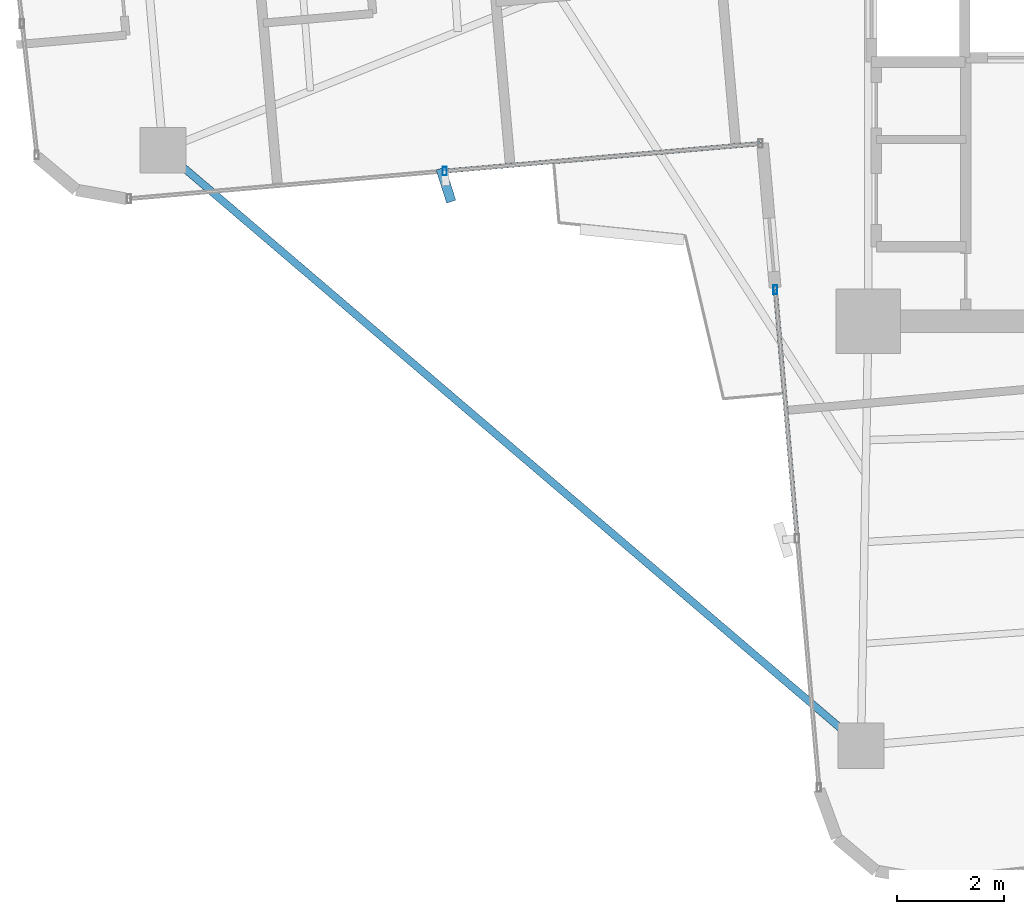
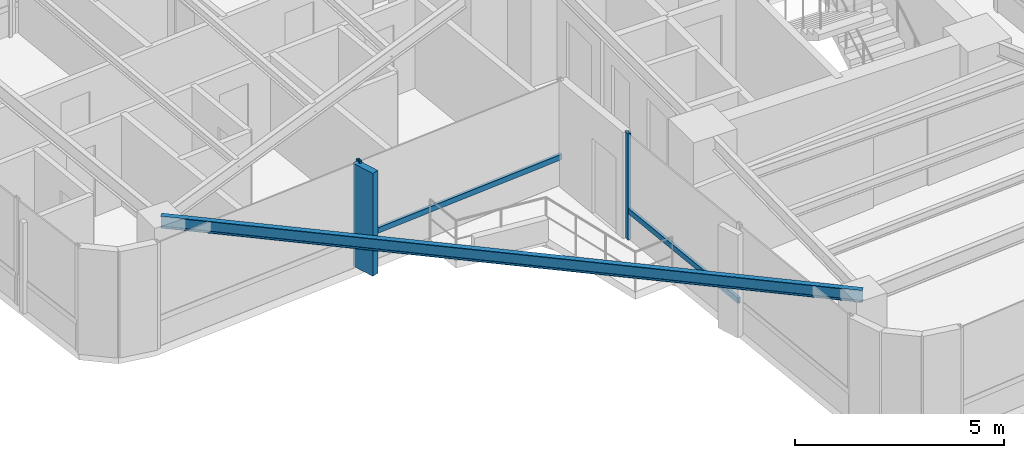
# One storey, part 4 of 24: 5 members, 1 beam, 2 elements without a shape of their own.
"""IFC4 building model written with IfcOpenShell, lengths in metres."""

from ifc_helpers import new_model, si_unit, direction, frame, origin, origin_2d, place, context, subcontext, project, spatial, rectangle, hollow_rectangle, i_section, extrude, source, transform, mapped, material, material_profile, profile_set, type_object, element, aggregate, save


model = new_model("IFC4")

# Units and contexts
model_context = context("Model", 3, precision=1e-05, world=origin(), true_north=direction((0.0, 1.0)))
body_context = subcontext(model_context, "Body", "Model", "MODEL_VIEW")
ifc_project = project(units=[si_unit("LENGTHUNIT", "METRE"), si_unit("AREAUNIT", "SQUARE_METRE"), si_unit("VOLUMEUNIT", "CUBIC_METRE"), si_unit("PLANEANGLEUNIT", "RADIAN"), si_unit("MASSUNIT", "GRAM", prefix="KILO")], contexts=[model_context])

# Site, building, storey
site_placement = place(None, origin())
site = spatial("IfcSite", under=ifc_project, at=site_placement, CompositionType="ELEMENT")
building_placement = place(site_placement, origin())
building = spatial("IfcBuilding", under=site, at=building_placement, Name="Sahyath Konkavel Grand Hotel", CompositionType="ELEMENT")
storey_placement = place(building_placement, frame((0.0, 0.0, 153.949951171875)))
storey = spatial("IfcBuildingStorey", under=building, at=storey_placement, Name="L42", CompositionType="ELEMENT", Elevation=153.949951171875)

# Beam
ifc_material_1 = material(Name="Steel E350", Category="steel")
ifc_material_profile_1 = material_profile(ifc_material_1, i_section(OverallWidth=0.139892578125, OverallDepth=0.35009765625, WebThickness=0.008056640625, FlangeThickness=0.01416015625, FilletRadius=0.013916015625, at=origin_2d()), Name="ISMB 350")
ifc_profile_set_1 = profile_set([ifc_material_profile_1], Name="Steel E350")
beam_type = type_object("IfcBeamType", Name="BM-ISMB350", PredefinedType="BEAM", material=ifc_profile_set_1)
shared_shape_1 = source(origin(), body_context, "Body", "SweptSolid", [
    extrude(i_section(OverallWidth=0.139892578125, OverallDepth=0.35009765625, WebThickness=0.008056640625, FlangeThickness=0.01416015625, FilletRadius=0.013916015625, at=origin_2d()), origin(), (0.0, 0.0, 1.0), 17.11279296875),
])
beam_placement = place(storey_placement, frame((-16.9541015625, -7.00439453125, 2.93505859375), z_axis=(0.760711911164, -0.649089661151, 0.0), x_axis=(0.649089661151, 0.760711911164, 0.0)))
element("IfcBeam", 1, at=beam_placement, inside=storey, type_object=beam_type, Name="L42 Re-Entrant Tie Beam SW", PredefinedType="BEAM", context=body_context, shape_type="MappedRepresentation", body=[
    mapped(shared_shape_1, transform((0.0, 0.0, 0.0), scale=1.0)),
])

# Curtain wall, members
ifc_material_2 = material(Name="Anodised Bronze Aluminium & Low-E Glazing", Category="aluminium")
curtain_wall_type = type_object("IfcCurtainWallType", Name="CW-ZONE3", PredefinedType="NOTDEFINED", material=ifc_material_2)
curtain_wall_1_placement = place(storey_placement, origin())
curtain_wall_1 = element("IfcCurtainWall", 2, at=curtain_wall_1_placement, inside=storey, type_object=curtain_wall_type, Name="L42 Unitised Curtain Wall F23", PredefinedType="NOTDEFINED")
ifc_material_3 = material(Name="Warm Buff Sandstone Cladding on Concrete C50/60", Category="masonry")
ifc_material_profile_2 = material_profile(ifc_material_3, rectangle(XDim=0.179931640625, YDim=0.64990234375, at=origin_2d()), Name="FIN 180x650")
ifc_profile_set_2 = profile_set([ifc_material_profile_2], Name="Warm Buff Sandstone Cladding on Concrete C50/60")
member_type_1 = type_object("IfcMemberType", Name="FIN-SANDSTONE-650", PredefinedType="MULLION", material=ifc_profile_set_2)
shared_shape_2 = source(origin(), body_context, "Body", "SweptSolid", [
    extrude(rectangle(XDim=0.179931640625, YDim=0.64990234375, at=origin_2d()), origin(), (0.0, 0.0, 1.0), 3.010009765625),
])
member_1_placement = place(storey_placement, frame((-11.677001953125, -7.656982421875, 0.050048828125), z_axis=(0.0, 0.0, 1.0), x_axis=(0.953032216634, 0.302868938746, 0.0)))
member_1 = element("IfcMember", 3, at=member_1_placement, type_object=member_type_1, Name="L42 Sandstone Vertical Solar Fin FIN F23-1", PredefinedType="MULLION", context=body_context, shape_type="MappedRepresentation", body=[
    mapped(shared_shape_2, transform((0.0, 0.0, 0.0), scale=1.0)),
])
ifc_material_4 = material(Name="Anodised Bronze Aluminium", Category="aluminium")
ifc_material_profile_3 = material_profile(ifc_material_4, hollow_rectangle(XDim=0.080078125, YDim=0.159912109375, WallThickness=0.006103515625, at=origin_2d()), Name="RHS 160x80x6")
ifc_profile_set_3 = profile_set([ifc_material_profile_3], Name="Anodised Bronze Aluminium")
member_type_2 = type_object("IfcMemberType", Name="CW-MUL-160", PredefinedType="MULLION", material=ifc_profile_set_3)
shared_shape_3 = source(origin(), body_context, "Body", "SweptSolid", [
    extrude(hollow_rectangle(XDim=0.080078125, YDim=0.159912109375, WallThickness=0.006103515625, at=origin_2d()), origin(), (0.0, 0.0, 1.0), 3.110107421875),
])
member_2_placement = place(storey_placement, frame((-11.69970703125, -7.39794921875, 0.0), z_axis=(0.0, 0.0, 1.0), x_axis=(1.0, 0.0, 0.0)))
member_2 = element("IfcMember", 4, at=member_2_placement, type_object=member_type_2, Name="L42 Curtain Wall Mullion F23-1", PredefinedType="MULLION", context=body_context, shape_type="MappedRepresentation", body=[
    mapped(shared_shape_3, transform((0.0, 0.0, 0.0), scale=1.0)),
])

# Curtain wall, member
curtain_wall_2_placement = place(storey_placement, origin())
curtain_wall_2 = element("IfcCurtainWall", 5, at=curtain_wall_2_placement, inside=storey, type_object=curtain_wall_type, Name="L42 Unitised Curtain Wall F24", PredefinedType="NOTDEFINED")
member_3_placement = place(storey_placement, frame((-5.53369140625, -9.60888671875, 0.0), z_axis=(0.0, 0.0, 1.0), x_axis=(1.0, 0.0, 0.0)))
member_3 = element("IfcMember", 6, at=member_3_placement, type_object=member_type_2, Name="L42 Curtain Wall Mullion F24-0", PredefinedType="MULLION", context=body_context, shape_type="MappedRepresentation", body=[
    mapped(shared_shape_3, transform((0.0, 0.0, 0.0), scale=1.0)),
])

# Member
ifc_material_profile_4 = material_profile(ifc_material_4, hollow_rectangle(XDim=0.080078125, YDim=0.159912109375, WallThickness=0.006103515625, at=origin_2d()), Name="RHS 160x80x6")
ifc_profile_set_4 = profile_set([ifc_material_profile_4], Name="Anodised Bronze Aluminium")
member_type_3 = type_object("IfcMemberType", Name="CW-TRN-160", PredefinedType="USERDEFINED", material=ifc_profile_set_4)
shared_shape_4 = source(origin(), body_context, "Body", "SweptSolid", [
    extrude(hollow_rectangle(XDim=0.080078125, YDim=0.159912109375, WallThickness=0.006103515625, at=origin_2d()), origin(), (0.0, 0.0, 1.0), 5.909912109375),
])
member_4_placement = place(storey_placement, frame((-11.69970703125, -7.39794921875, 0.85009765625), z_axis=(0.996193941691, 0.087164388014, 0.0), x_axis=(-0.087164388014, 0.996193941691, 0.0)))
member_4 = element("IfcMember", 7, at=member_4_placement, type_object=member_type_3, Name="L42 Curtain Wall Transom F23-1-spandrel", ObjectType="TRANSOM", PredefinedType="USERDEFINED", context=body_context, shape_type="MappedRepresentation", body=[
    mapped(shared_shape_4, transform((0.0, 0.0, 0.0), scale=1.0)),
])

aggregate(curtain_wall_1, [member_2, member_1, member_4])

shared_shape_5 = source(origin(), body_context, "Body", "SweptSolid", [
    extrude(hollow_rectangle(XDim=0.080078125, YDim=0.159912109375, WallThickness=0.006103515625, at=origin_2d()), origin(), (0.0, 0.0, 1.0), 4.66015625),
])
member_5_placement = place(storey_placement, frame((-5.53369140625, -9.60888671875, 0.85009765625), z_axis=(0.087176698736, -0.996192864458, 0.0), x_axis=(0.996192864458, 0.087176698736, 0.0)))
member_5 = element("IfcMember", 8, at=member_5_placement, type_object=member_type_3, Name="L42 Curtain Wall Transom F24-0-spandrel", ObjectType="TRANSOM", PredefinedType="USERDEFINED", context=body_context, shape_type="MappedRepresentation", body=[
    mapped(shared_shape_5, transform((0.0, 0.0, 0.0), scale=1.0)),
])

aggregate(curtain_wall_2, [member_3, member_5])

save(model, "model.ifc")
